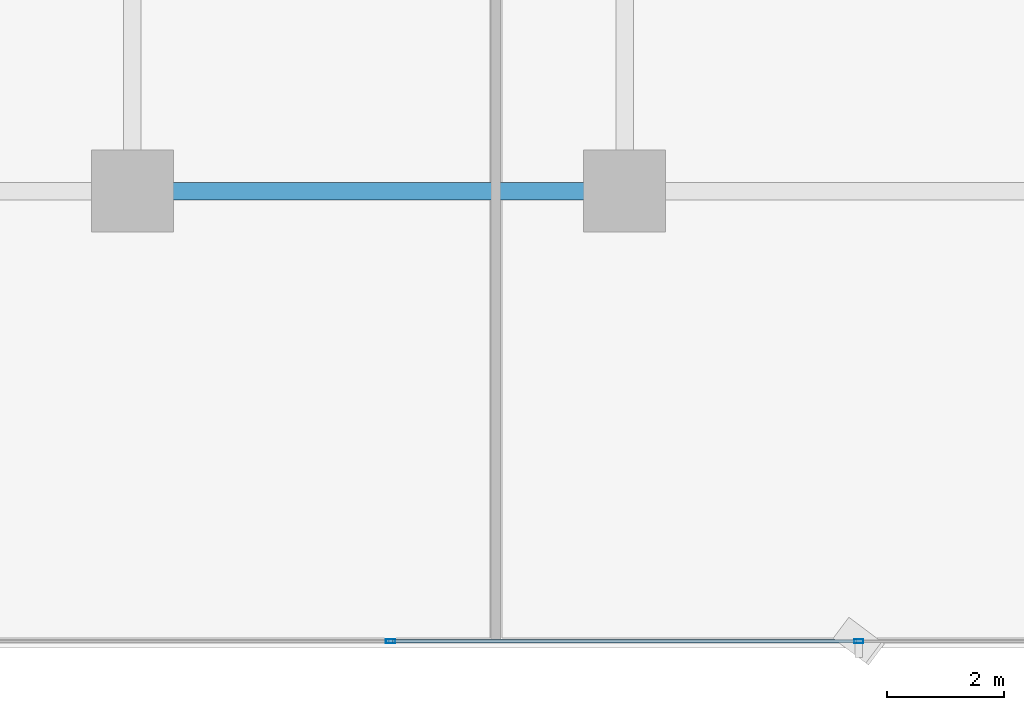
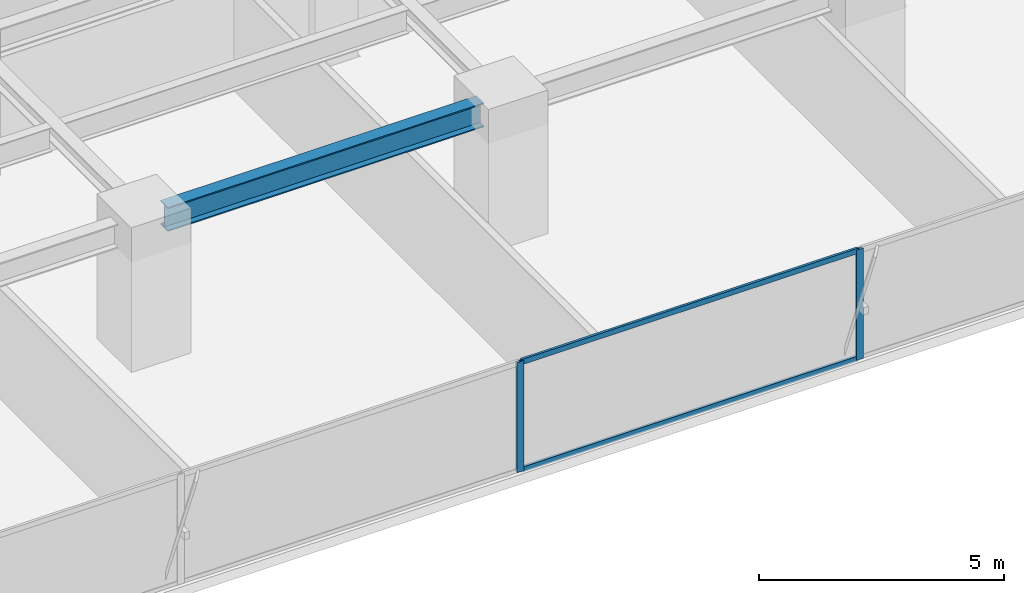
# One storey, part 6 of 34: 4 members, 1 beam, 1 element without a shape of its own.
"""IFC4 building model written with IfcOpenShell, lengths in metres."""

from ifc_helpers import new_model, si_unit, direction, frame, origin, origin_2d, place, context, subcontext, project, spatial, hollow_rectangle, i_section, extrude, source, transform, mapped, material, layer, layer_set, material_profile, profile_set, type_object, element, aggregate, save


model = new_model("IFC4")

# Units and contexts
model_context = context("Model", 3, precision=1e-05, world=origin(), true_north=direction((0.0, 1.0)))
body_context = subcontext(model_context, "Body", "Model", "MODEL_VIEW")
ifc_project = project(units=[si_unit("LENGTHUNIT", "METRE"), si_unit("AREAUNIT", "SQUARE_METRE"), si_unit("VOLUMEUNIT", "CUBIC_METRE"), si_unit("PLANEANGLEUNIT", "RADIAN"), si_unit("MASSUNIT", "GRAM", prefix="KILO")], contexts=[model_context])

# Site, building, storey
site_placement = place(None, origin())
site = spatial("IfcSite", under=ifc_project, at=site_placement, CompositionType="ELEMENT")
building_placement = place(site_placement, origin())
building = spatial("IfcBuilding", under=site, at=building_placement, Name="Sumidabori Civic Tower", CompositionType="ELEMENT")
storey_placement = place(building_placement, frame((0.0, 0.0, 106.39990234375)))
storey = spatial("IfcBuildingStorey", under=building, at=storey_placement, Name="L27", CompositionType="ELEMENT", Elevation=106.39990234375)

# Beam
ifc_material_1 = material(Name="Steel SN490", Category="steel")
ifc_material_profile_1 = material_profile(ifc_material_1, i_section(OverallWidth=0.300048828125, OverallDepth=0.60009765625, WebThickness=0.015380859375, FlangeThickness=0.030029296875, at=origin_2d()), Name="HE 600 B")
ifc_profile_set_1 = profile_set([ifc_material_profile_1], Name="Steel SN490")
beam_type = type_object("IfcBeamType", Name="BM-GIRD-600", PredefinedType="BEAM", material=ifc_profile_set_1)
shared_shape_1 = source(origin(), body_context, "Body", "SweptSolid", [
    extrude(i_section(OverallWidth=0.300048828125, OverallDepth=0.60009765625, WebThickness=0.015380859375, FlangeThickness=0.030029296875, at=origin_2d()), origin(), (0.0, 0.0, 1.0), 7.43994140625),
])
beam_placement = place(storey_placement, frame((-7.919921875, -18.0, 3.06005859375), z_axis=(1.0, 0.0, 0.0), x_axis=(0.0, 1.0, 0.0)))
element("IfcBeam", 1, at=beam_placement, inside=storey, type_object=beam_type, Name="Primary Girder L27 GX-03", PredefinedType="BEAM", context=body_context, shape_type="MappedRepresentation", body=[
    mapped(shared_shape_1, transform((0.0, 0.0, 0.0), x_axis=(1.0, 0.0, 0.0), y_axis=(0.0, 1.0, 0.0), z_axis=(0.0, 0.0, 1.0), scale=1.0)),
])

# Curtain wall, members
ifc_material_2 = material(Name="Anodised Bronze Aluminium AW-6063-T6", Category="aluminium")
ifc_layer = layer(ifc_material_2, 0.179931640625, Name="Anodised Bronze Aluminium AW-6063-T6")
ifc_layer_set = layer_set([ifc_layer], Name="Anodised Bronze Aluminium AW-6063-T6")
curtain_wall_type = type_object("IfcCurtainWallType", Name="CW-SYS-3", PredefinedType="NOTDEFINED", material=ifc_layer_set)
curtain_wall_placement = place(storey_placement, origin())
curtain_wall = element("IfcCurtainWall", 2, at=curtain_wall_placement, inside=storey, type_object=curtain_wall_type, Name="Curtain Wall CW:L27:R01", PredefinedType="NOTDEFINED")
ifc_material_profile_2 = material_profile(ifc_material_2, hollow_rectangle(XDim=0.06494140625, YDim=0.159912109375, WallThickness=0.0048828125, at=origin_2d()), Name="ALU MULLION 160x65")
ifc_profile_set_2 = profile_set([ifc_material_profile_2], Name="Anodised Bronze Aluminium AW-6063-T6")
member_type_1 = type_object("IfcMemberType", Name="CW-MUL-160", PredefinedType="MULLION", material=ifc_profile_set_2)
shared_shape_2 = source(origin(), body_context, "Body", "SweptSolid", [
    extrude(hollow_rectangle(XDim=0.06494140625, YDim=0.159912109375, WallThickness=0.0048828125, at=origin_2d()), origin(), (0.0, 0.0, 1.0), 2.739990234375),
])
member_1_placement = place(storey_placement, frame((-3.993896484375, -25.679931640625, 0.0), z_axis=(0.0, 0.0, 1.0), x_axis=(0.0, 1.0, 0.0)))
member_1 = element("IfcMember", 3, at=member_1_placement, type_object=member_type_1, Name="CW-3 mullion 3", PredefinedType="MULLION", context=body_context, shape_type="MappedRepresentation", body=[
    mapped(shared_shape_2, transform((0.0, 0.0, 0.0), x_axis=(1.0, 0.0, 0.0), y_axis=(0.0, 1.0, 0.0), z_axis=(0.0, 0.0, 1.0), scale=1.0)),
])
member_2_placement = place(storey_placement, frame((3.993896484375, -25.679931640625, 0.0), z_axis=(0.0, 0.0, 1.0), x_axis=(0.0, 1.0, 0.0)))
member_2 = element("IfcMember", 4, at=member_2_placement, type_object=member_type_1, Name="CW-3 mullion 4", PredefinedType="MULLION", context=body_context, shape_type="MappedRepresentation", body=[
    mapped(shared_shape_2, transform((0.0, 0.0, 0.0), x_axis=(1.0, 0.0, 0.0), y_axis=(0.0, 1.0, 0.0), z_axis=(0.0, 0.0, 1.0), scale=1.0)),
])
ifc_material_profile_3 = material_profile(ifc_material_2, hollow_rectangle(XDim=0.06005859375, YDim=0.1298828125, WallThickness=0.0048828125, at=origin_2d()), Name="ALU TRANSOM 130x60")
ifc_profile_set_3 = profile_set([ifc_material_profile_3], Name="Anodised Bronze Aluminium AW-6063-T6")
member_type_2 = type_object("IfcMemberType", Name="CW-TRN-130", PredefinedType="USERDEFINED", material=ifc_profile_set_3)
shared_shape_3 = source(origin(), body_context, "Body", "SweptSolid", [
    extrude(hollow_rectangle(XDim=0.06005859375, YDim=0.1298828125, WallThickness=0.0048828125, at=origin_2d()), origin(), (0.0, 0.0, 1.0), 7.9228515625),
])
member_3_placement = place(storey_placement, frame((-3.96142578125, -25.679931640625, 0.030029296875), z_axis=(1.0, 0.0, 0.0), x_axis=(0.0, 1.0, 0.0)))
member_3 = element("IfcMember", 5, at=member_3_placement, type_object=member_type_2, Name="CW-3 transom 3.1", ObjectType="TRANSOM", PredefinedType="USERDEFINED", context=body_context, shape_type="MappedRepresentation", body=[
    mapped(shared_shape_3, transform((0.0, 0.0, 0.0), x_axis=(1.0, 0.0, 0.0), y_axis=(0.0, 1.0, 0.0), z_axis=(0.0, 0.0, 1.0), scale=1.0)),
])
member_4_placement = place(storey_placement, frame((-3.96142578125, -25.679931640625, 2.710205078125), z_axis=(1.0, 0.0, 0.0), x_axis=(0.0, 1.0, 0.0)))
member_4 = element("IfcMember", 6, at=member_4_placement, type_object=member_type_2, Name="CW-3 transom 3.2", ObjectType="TRANSOM", PredefinedType="USERDEFINED", context=body_context, shape_type="MappedRepresentation", body=[
    mapped(shared_shape_3, transform((0.0, 0.0, 0.0), x_axis=(1.0, 0.0, 0.0), y_axis=(0.0, 1.0, 0.0), z_axis=(0.0, 0.0, 1.0), scale=1.0)),
])
aggregate(curtain_wall, [member_1, member_2, member_3, member_4])

save(model, "model.ifc")
